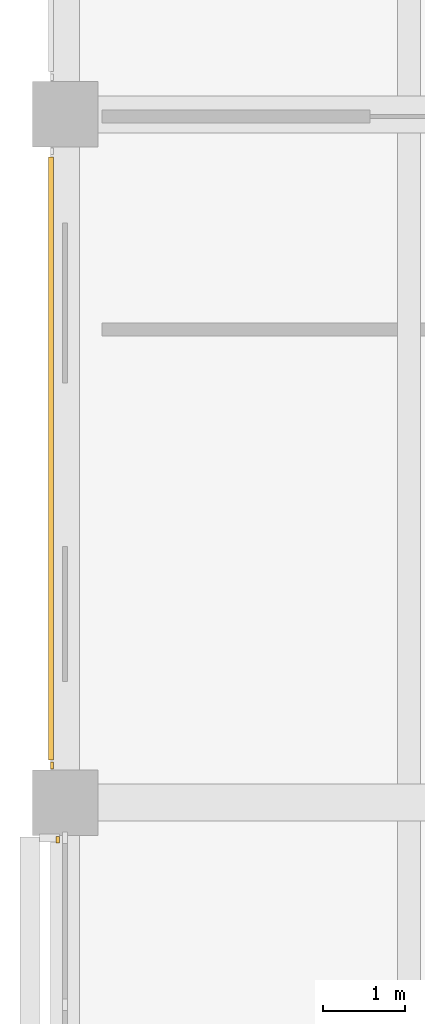
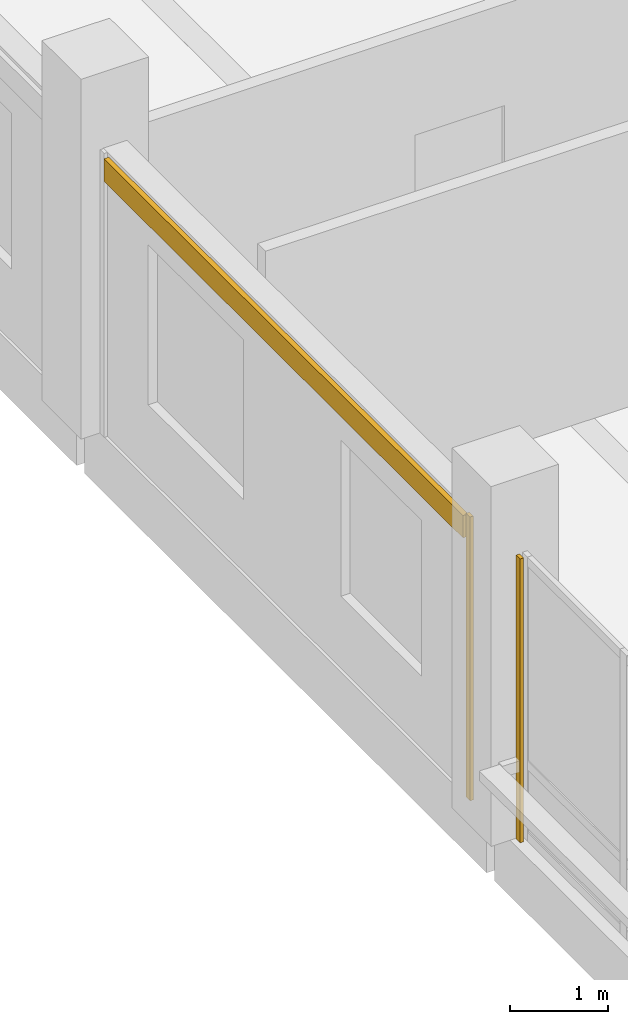
# One storey, part 23 of 36: 3 coverings.
"""IFC4 building model written with IfcOpenShell, lengths in metres."""

from ifc_helpers import new_model, si_unit, direction, frame, origin, origin_2d, place, context, subcontext, project, spatial, rectangle, extrude, material, layer, layer_set, type_object, element, save


model = new_model("IFC4")

# Units and contexts
model_context = context("Model", 3, precision=1e-05, world=origin(), true_north=direction((0.0, 1.0)))
body_context = subcontext(model_context, "Body", "Model", "MODEL_VIEW")
ifc_project = project(units=[si_unit("LENGTHUNIT", "METRE"), si_unit("AREAUNIT", "SQUARE_METRE"), si_unit("VOLUMEUNIT", "CUBIC_METRE"), si_unit("PLANEANGLEUNIT", "RADIAN"), si_unit("MASSUNIT", "GRAM", prefix="KILO")], contexts=[model_context])

# Site, building, storey
site_placement = place(None, origin())
site = spatial("IfcSite", under=ifc_project, at=site_placement, CompositionType="ELEMENT")
building_placement = place(site_placement, origin())
building = spatial("IfcBuilding", under=site, at=building_placement, Name="Telukmera Botanical Conservatory", CompositionType="ELEMENT")
storey_placement = place(building_placement, frame((0.0, 0.0, 33.0)))
storey = spatial("IfcBuildingStorey", under=building, at=storey_placement, Name="L07", CompositionType="ELEMENT", Elevation=33.0)

# Coverings
ifc_material_1 = material(Name="Granite-faced precast concrete C40/50", Category="masonry")
ifc_layer_1 = layer(ifc_material_1, 0.0400390625)
ifc_layer_set_1 = layer_set([ifc_layer_1], Name="Granite-faced precast concrete C40/50")
covering_type_1 = type_object("IfcCoveringType", Name="Granite Precast Column Pier Reveal Casing", PredefinedType="CLADDING", material=ifc_layer_set_1)
for number, where, z_axis, x_axis, name in (
    (1, (50.31005859375, 17.14794921875, 0.0), (0.0, 0.0, 1.0), (0.0, 1.0, 0.0), "Granite Pier Reveal V4:L07:W1 R"),
    (2, (50.239990234375, 18.052001953125, 0.0), (0.0, 0.0, 1.0), (0.0, 1.0, 0.0), "Granite Pier Reveal V4:L07:W2 L"),
):
    element("IfcCovering", number, at=place(storey_placement, frame(where, z_axis=z_axis, x_axis=x_axis)), inside=storey, type_object=covering_type_1, Name=name, PredefinedType="CLADDING", context=body_context, shape_type="SweptSolid", body=[
        extrude(rectangle(XDim=0.080078125, YDim=0.0400390625, at=origin_2d()), origin(), (0.0, 0.0, 1.0), 3.550048828125),
    ])
ifc_material_2 = material(Name="Terracotta-faced precast concrete C40/50", Category="masonry")
ifc_layer_2 = layer(ifc_material_2, 0.06005859375)
ifc_layer_set_2 = layer_set([ifc_layer_2], Name="Terracotta-faced precast concrete C40/50")
covering_type_2 = type_object("IfcCoveringType", Name="Polychrome Terracotta Facade Band Cladding", PredefinedType="CLADDING", material=ifc_layer_set_2)
covering_placement = place(storey_placement, frame((50.22998046875, 21.800048828125, 3.22998046875), z_axis=(0.0, 0.0, 1.0), x_axis=(0.0, 1.0, 0.0)))
element("IfcCovering", 3, at=covering_placement, inside=storey, type_object=covering_type_2, Name="Polychrome Terracotta Band V4:L07:W2", PredefinedType="CLADDING", context=body_context, shape_type="SweptSolid", body=[
    extrude(rectangle(XDim=7.35595703125, YDim=0.06005859375, at=origin_2d()), origin(), (0.0, 0.0, 1.0), 0.280029296875),
])

save(model, "model.ifc")
